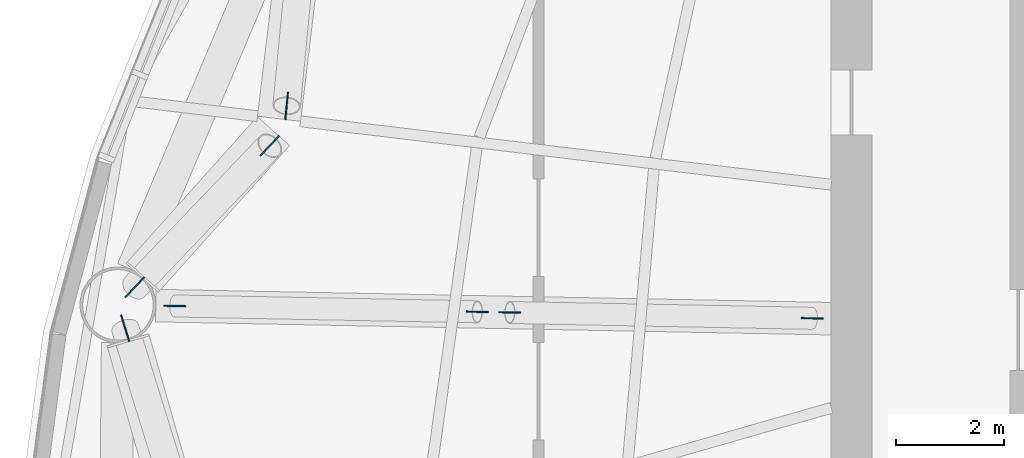
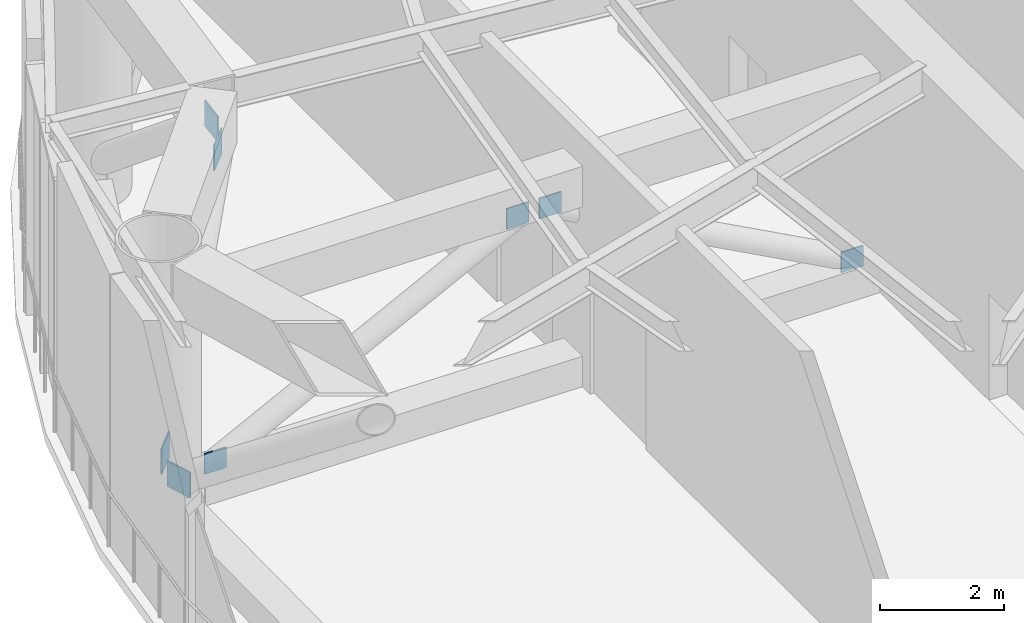
# One storey, part 12 of 19: 8 discrete accessories.
"""IFC4 building model written with IfcOpenShell, lengths in metres."""

from ifc_helpers import new_model, si_unit, direction, frame, origin, origin_2d, place, context, subcontext, project, spatial, rectangle, extrude, element, save


model = new_model("IFC4")

# Units and contexts
model_context = context("Model", 3, precision=1e-05, world=origin(), true_north=direction((0.0, 1.0)))
body_context = subcontext(model_context, "Body", "Model", "MODEL_VIEW")
ifc_project = project(units=[si_unit("LENGTHUNIT", "METRE"), si_unit("AREAUNIT", "SQUARE_METRE"), si_unit("VOLUMEUNIT", "CUBIC_METRE"), si_unit("PLANEANGLEUNIT", "RADIAN"), si_unit("MASSUNIT", "GRAM", prefix="KILO")], contexts=[model_context])

# Site, building, storey
site_placement = place(None, origin())
site = spatial("IfcSite", under=ifc_project, at=site_placement, CompositionType="ELEMENT")
building_placement = place(site_placement, origin())
building = spatial("IfcBuilding", under=site, at=building_placement, Name="Vermilion Reach Broadcast Tower", CompositionType="ELEMENT")
storey_placement = place(building_placement, frame((0.0, 0.0, 190.199951171875)))
storey = spatial("IfcBuildingStorey", under=building, at=storey_placement, Name="L46", CompositionType="ELEMENT", Elevation=190.199951171875)

# Discrete accessories
for number, where, z_axis, x_axis, name in (
    (1, (-26.846923828125, 4.135986328125, 4.0859375), (0.0, 0.0, 1.0), (0.995420513513, -0.095592893449, 0.0), "Gusset plate BT3-D06A head"),
    (2, (-29.648681640625, 0.789794921875, 0.5458984375), (0.0, 0.0, 1.0), (-0.723417199093, 0.690411150009, 0.0), "Gusset plate BT3-D06B foot"),
    (3, (-27.158447265625, 3.399169921875, 4.0859375), (0.0, 0.0, 1.0), (-0.723417199093, 0.690411150009, 0.0), "Gusset plate BT3-D06B head"),
    (4, (-29.826171875, 0.034423828125, 0.5458984375), (0.0, 0.0, 1.0), (0.955176844678, 0.296035800859, 0.0), "Gusset plate BT3-D07A foot"),
):
    element("IfcDiscreteAccessory", number, at=place(storey_placement, frame(where, z_axis=z_axis, x_axis=x_axis)), inside=storey, Name=name, PredefinedType="NOTDEFINED", context=body_context, shape_type="SweptSolid", body=[
        extrude(rectangle(XDim=0.02490234375, YDim=0.508056640625, at=origin_2d()), origin(), (0.0, 0.0, 1.0), 0.508056640625),
    ])
for number, where, z_axis, x_axis, name in (
    (5, (-17.14990234375, 0.216064453125, 0.39697265625), (0.0, 0.0, 1.0), (-0.019371936498, -0.999812346431, 0.0), "Gusset plate OR3-07-DA foot"),
    (6, (-22.729736328125, 0.32421875, 3.34716796875), (0.0, 0.0, 1.0), (-0.019371936498, -0.999812346431, 0.0), "Gusset plate OR3-07-DA head"),
    (7, (-28.90966796875, 0.44384765625, 0.39697265625), (0.0, 0.0, 1.0), (-0.019371936498, -0.999812346431, 0.0), "Gusset plate OR3-07-DB foot"),
    (8, (-23.329833984375, 0.335693359375, 3.34716796875), (0.0, 0.0, 1.0), (-0.019371936498, -0.999812346431, 0.0), "Gusset plate OR3-07-DB head"),
):
    element("IfcDiscreteAccessory", number, at=place(storey_placement, frame(where, z_axis=z_axis, x_axis=x_axis)), inside=storey, Name=name, PredefinedType="NOTDEFINED", context=body_context, shape_type="SweptSolid", body=[
        extrude(rectangle(XDim=0.02490234375, YDim=0.406005859375, at=origin_2d()), origin(), (0.0, 0.0, 1.0), 0.406005859375),
    ])

save(model, "model.ifc")
